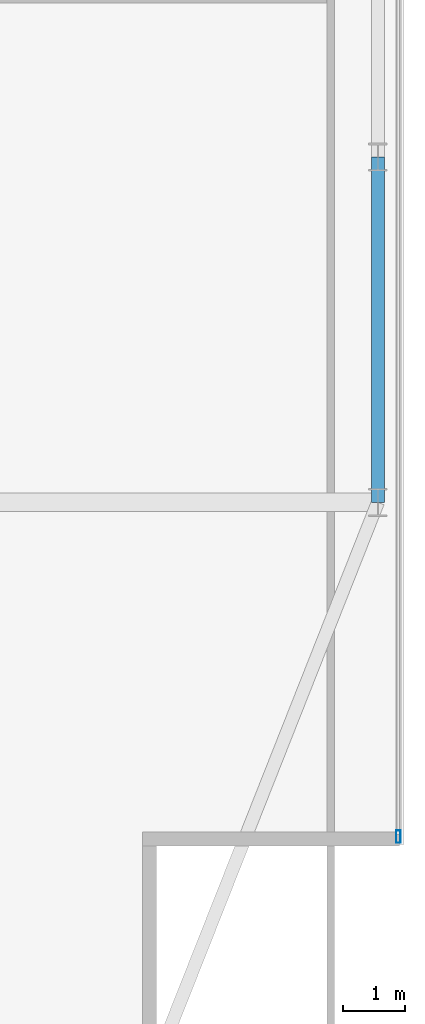
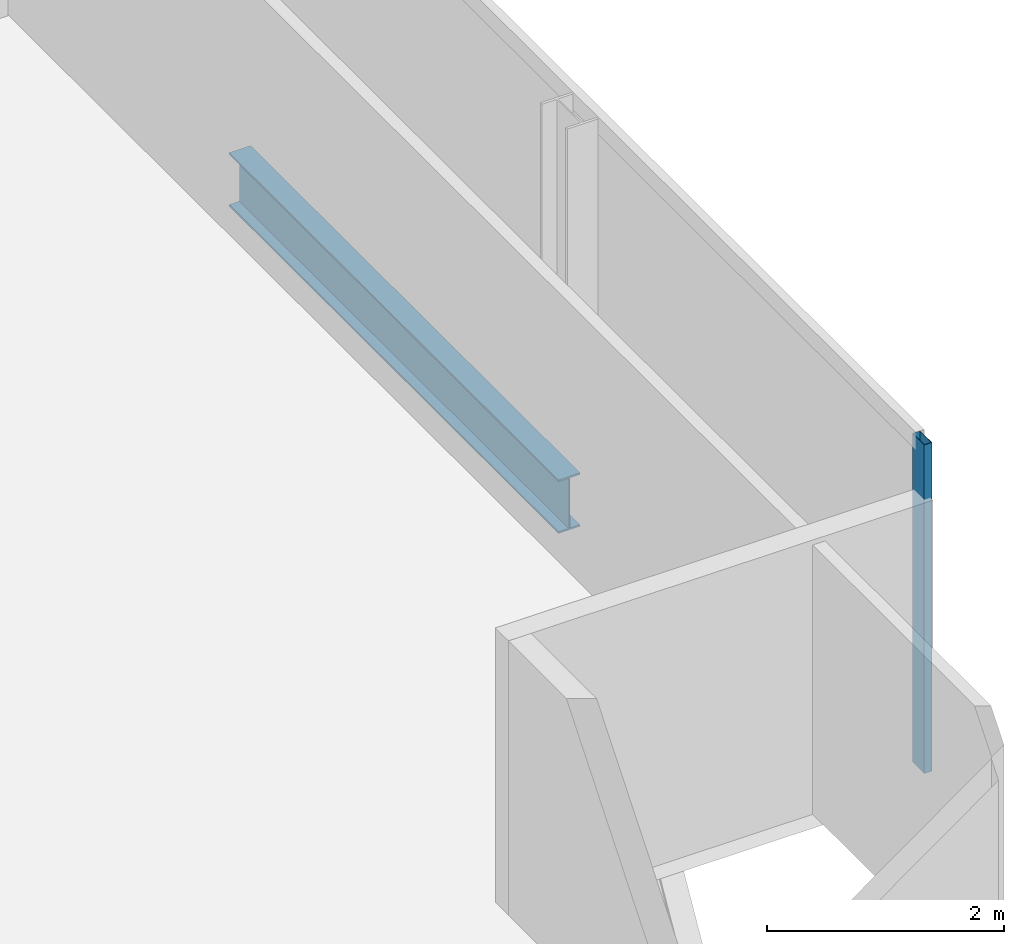
# One storey, part 12 of 24: 1 beam, 1 member, 1 element without a shape of its own.
"""IFC4 building model written with IfcOpenShell, lengths in metres."""

from ifc_helpers import new_model, si_unit, direction, frame, origin, origin_2d, place, context, subcontext, project, spatial, hollow_rectangle, i_section, extrude, material, material_profile, profile_set, type_object, element, aggregate, save


model = new_model("IFC4")

# Units and contexts
model_context = context("Model", 3, precision=1e-05, world=origin(), true_north=direction((0.0, 1.0)))
body_context = subcontext(model_context, "Body", "Model", "MODEL_VIEW")
ifc_project = project(units=[si_unit("LENGTHUNIT", "METRE"), si_unit("AREAUNIT", "SQUARE_METRE"), si_unit("VOLUMEUNIT", "CUBIC_METRE"), si_unit("PLANEANGLEUNIT", "RADIAN"), si_unit("MASSUNIT", "GRAM", prefix="KILO")], contexts=[model_context])

# Site, building, storey
site_placement = place(None, origin())
site = spatial("IfcSite", under=ifc_project, at=site_placement, CompositionType="ELEMENT")
building_placement = place(site_placement, origin())
building = spatial("IfcBuilding", under=site, at=building_placement, Name="Khoronbel Lancet Exchange", CompositionType="ELEMENT")
storey_placement = place(building_placement, frame((0.0, 0.0, 347.0)))
storey = spatial("IfcBuildingStorey", under=building, at=storey_placement, Name="L90", CompositionType="ELEMENT", Elevation=347.0)

# Beam
ifc_material_1 = material(Name="Steel S355", Category="steel")
ifc_material_profile_1 = material_profile(ifc_material_1, i_section(OverallWidth=0.2099609375, OverallDepth=0.550048828125, WebThickness=0.010986328125, FlangeThickness=0.01708984375, at=origin_2d()), Name="IPE 550")
ifc_profile_set_1 = profile_set([ifc_material_profile_1], Name="Steel S355")
beam_type = type_object("IfcBeamType", Name="BM-BSP3", PredefinedType="SPANDREL", material=ifc_profile_set_1)
beam_placement = place(storey_placement, frame((61.6298828125, 19.199951171875, -0.43505859375), z_axis=(0.0, 1.0, 0.0), x_axis=(-1.0, 0.0, 0.0)))
element("IfcBeam", 1, at=beam_placement, inside=storey, type_object=beam_type, Name="Level L90 perimeter spandrel beam SP09", PredefinedType="SPANDREL", context=body_context, shape_type="SweptSolid", body=[
    extrude(i_section(OverallWidth=0.2099609375, OverallDepth=0.550048828125, WebThickness=0.010986328125, FlangeThickness=0.01708984375, at=origin_2d()), origin(), (0.0, 0.0, 1.0), 5.550048828125),
])

# Curtain wall, member
ifc_material_2 = material(Name="Low-E Solar Control Insulating Glass", Category="glass")
curtain_wall_type = type_object("IfcCurtainWallType", Name="CW-4", PredefinedType="NOTDEFINED", material=ifc_material_2)
curtain_wall_placement = place(storey_placement, origin())
curtain_wall = element("IfcCurtainWall", 2, at=curtain_wall_placement, inside=storey, type_object=curtain_wall_type, Name="Unitised curtain wall CW-L90-E09", PredefinedType="NOTDEFINED")
ifc_material_3 = material(Name="Bronze-Anodised Aluminium 6063-T6", Category="aluminium")
ifc_material_profile_2 = material_profile(ifc_material_3, hollow_rectangle(XDim=0.074951171875, YDim=0.199951171875, WallThickness=0.0048828125, at=origin_2d()), Name="ALU MULLION 75x200")
ifc_profile_set_2 = profile_set([ifc_material_profile_2], Name="Bronze-Anodised Aluminium 6063-T6")
member_type = type_object("IfcMemberType", Name="MEM-CWM2", PredefinedType="MULLION", material=ifc_profile_set_2)
member_placement = place(storey_placement, frame((61.9599609375, 13.827392578125, 0.0), z_axis=(0.0, 0.0, 1.0), x_axis=(1.0, 0.0, 0.0)))
member = element("IfcMember", 3, at=member_placement, type_object=member_type, Name="CW4 mullion 3", PredefinedType="MULLION", context=body_context, shape_type="SweptSolid", body=[
    extrude(hollow_rectangle(XDim=0.074951171875, YDim=0.199951171875, WallThickness=0.0048828125, at=origin_2d()), origin(), (0.0, 0.0, 1.0), 3.3798828125),
])
aggregate(curtain_wall, [member])

save(model, "model.ifc")
